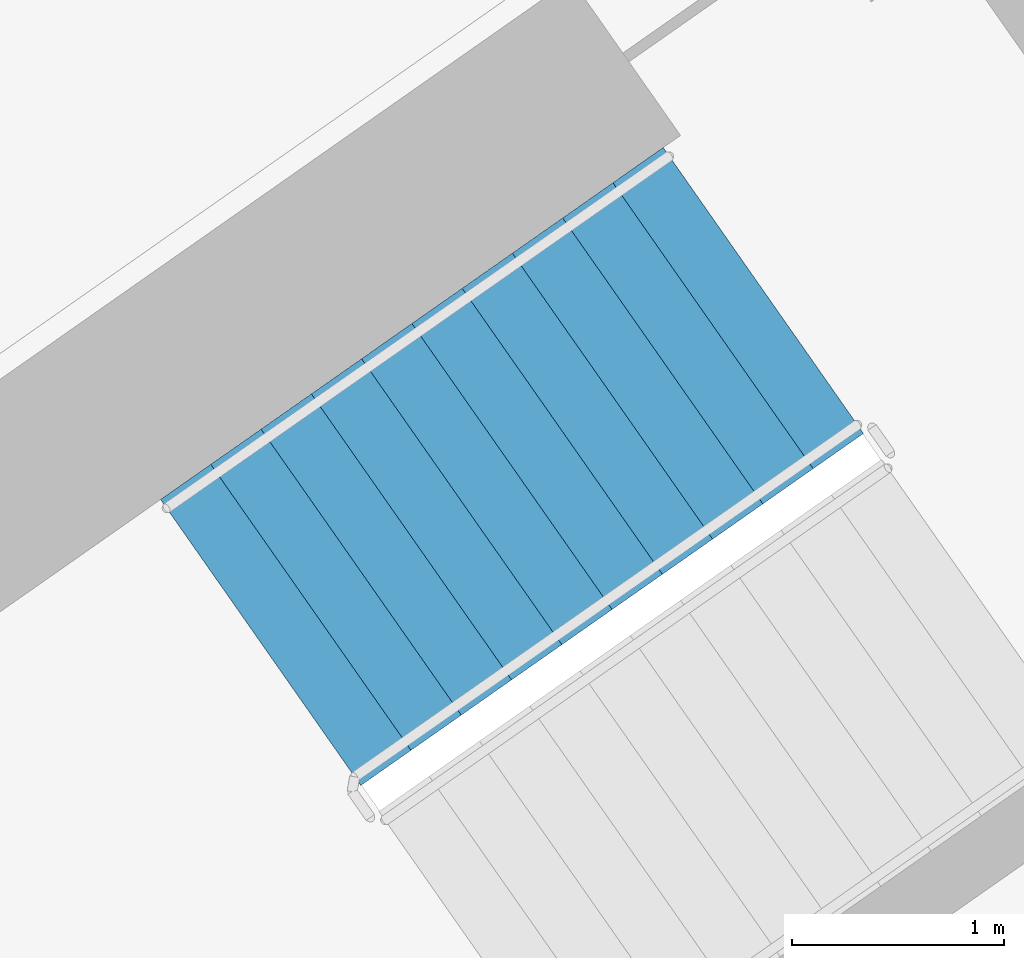
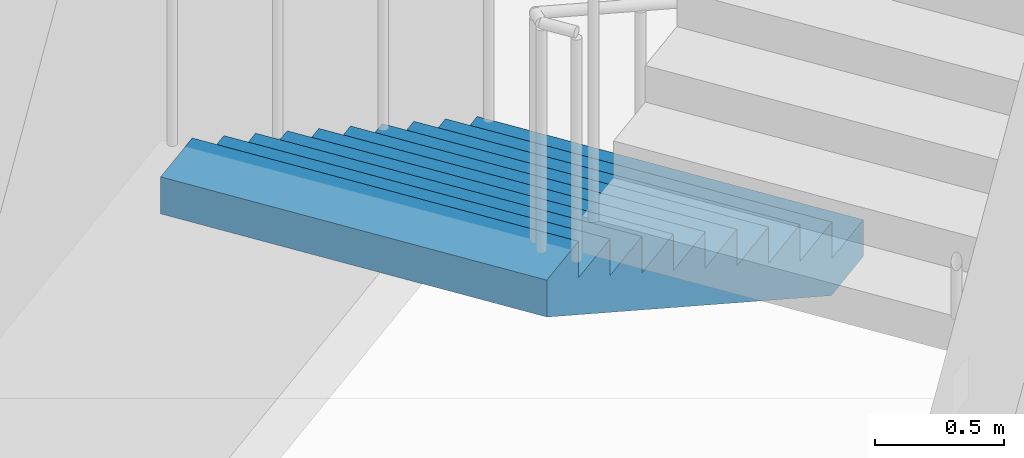
# One storey, part 16 of 32: 1 stair flight, 1 element without a shape of its own.
"""IFC4 building model written with IfcOpenShell, lengths in metres."""

from ifc_helpers import new_model, si_unit, direction, frame, origin, place, context, subcontext, project, spatial, faceted_brep, material, type_object, element, aggregate, save


model = new_model("IFC4")

# Units and contexts
model_context = context("Model", 3, precision=1e-05, world=origin(), true_north=direction((0.0, 1.0)))
body_context = subcontext(model_context, "Body", "Model", "MODEL_VIEW")
ifc_project = project(units=[si_unit("LENGTHUNIT", "METRE"), si_unit("AREAUNIT", "SQUARE_METRE"), si_unit("VOLUMEUNIT", "CUBIC_METRE"), si_unit("PLANEANGLEUNIT", "RADIAN"), si_unit("MASSUNIT", "GRAM", prefix="KILO")], contexts=[model_context])

# Site, building, storey
site_placement = place(None, origin())
site = spatial("IfcSite", under=ifc_project, at=site_placement, CompositionType="ELEMENT")
building_placement = place(site_placement, origin())
building = spatial("IfcBuilding", under=site, at=building_placement, Name="Qamariyya Broadcast Tower", CompositionType="ELEMENT")
storey_placement = place(building_placement, frame((0.0, 0.0, 70.89990234375)))
storey = spatial("IfcBuildingStorey", under=building, at=storey_placement, Name="L14", CompositionType="ELEMENT", Elevation=70.89990234375)

# Stair, stair flight
ifc_material = material(Name="Concrete C50/60", Category="concrete")
stair_type = type_object("IfcStairType", Name="Exit stair 22 risers of 173 mm", PredefinedType="HALF_TURN_STAIR", material=ifc_material)
stair_placement = place(storey_placement, origin())
stair = element("IfcStair", 1, at=stair_placement, inside=storey, type_object=stair_type, Name="L14 Stair E2", PredefinedType="HALF_TURN_STAIR")
stair_flight_type = type_object("IfcStairFlightType", Name="Exit stair flight 11 risers of 173 mm", PredefinedType="STRAIGHT", material=ifc_material)
stair_flight_placement = place(storey_placement, frame((40.558837890625, -47.685302734375, 0.0), z_axis=(0.0, 0.0, 1.0), x_axis=(-0.819152044289, -0.573576436351, 0.0)))
stair_flight = element("IfcStairFlight", 2, at=stair_flight_placement, type_object=stair_flight_type, Name="ST-E2 flight 1", NumberOfRisers=11, NumberOfTreads=10, PredefinedType="STRAIGHT", RiserHeight=0.172727273, TreadLength=0.29, context=body_context, shape_type="Brep", body=[
    faceted_brep([(0.0, 0.824951171875, 0.0), (0.0, 0.824951171875, 0.172607421875), (0.2900390625, 0.824951171875, 0.172607421875), (0.2900390625, 0.824951171875, 0.345458984375), (0.580078125, 0.824951171875, 0.345458984375), (0.580078125, 0.824951171875, 0.51806640625), (0.8701171875, 0.824951171875, 0.51806640625), (0.8701171875, 0.824951171875, 0.69091796875), (1.159912109375, 0.824951171875, 0.69091796875), (1.159912109375, 0.824951171875, 0.863525390625), (1.449951171875, 0.824951171875, 0.863525390625), (1.449951171875, 0.824951171875, 1.036376953125), (1.739990234375, 0.824951171875, 1.036376953125), (1.739990234375, 0.824951171875, 1.208984375), (2.030029296875, 0.824951171875, 1.208984375), (2.030029296875, 0.824951171875, 1.3818359375), (2.320068359375, 0.824951171875, 1.3818359375), (2.320068359375, 0.824951171875, 1.554443359375), (2.610107421875, 0.824951171875, 1.554443359375), (2.610107421875, 0.824951171875, 1.727294921875), (2.89990234375, 0.824951171875, 1.727294921875), (2.89990234375, 0.824951171875, 1.552734375), (0.29296875, 0.824951171875, 0.0), (0.29296875, -0.824951171875, 0.0), (2.89990234375, -0.824951171875, 1.552734375), (2.89990234375, -0.824951171875, 1.727294921875), (2.610107421875, -0.824951171875, 1.727294921875), (2.610107421875, -0.824951171875, 1.554443359375), (2.320068359375, -0.824951171875, 1.554443359375), (2.320068359375, -0.824951171875, 1.3818359375), (2.030029296875, -0.824951171875, 1.3818359375), (2.030029296875, -0.824951171875, 1.208984375), (1.739990234375, -0.824951171875, 1.208984375), (1.739990234375, -0.824951171875, 1.036376953125), (1.449951171875, -0.824951171875, 1.036376953125), (1.449951171875, -0.824951171875, 0.863525390625), (1.159912109375, -0.824951171875, 0.863525390625), (1.159912109375, -0.824951171875, 0.69091796875), (0.8701171875, -0.824951171875, 0.69091796875), (0.8701171875, -0.824951171875, 0.51806640625), (0.580078125, -0.824951171875, 0.51806640625), (0.580078125, -0.824951171875, 0.345458984375), (0.2900390625, -0.824951171875, 0.345458984375), (0.2900390625, -0.824951171875, 0.172607421875), (0.0, -0.824951171875, 0.172607421875), (0.0, -0.824951171875, 0.0), (0.0, 0.10009765625, 0.0), (0.0, 0.086669921875, 0.0), (0.0, 0.0732421875, 0.0), (0.0, 0.06005859375, 0.0), (0.0, 0.046630859375, 0.0), (0.0, 0.033447265625, 0.0), (0.0, 0.02001953125, 0.0), (0.0, 0.006591796875, 0.0), (0.0, -0.006591796875, 0.0), (0.0, -0.02001953125, 0.0), (0.0, -0.033447265625, 0.0), (0.0, -0.046630859375, 0.0), (0.0, -0.06005859375, 0.0), (0.0, -0.0732421875, 0.0), (0.0, -0.086669921875, 0.0), (0.0, -0.10009765625, 0.0), (0.0, -0.10009765625, 0.172607421875), (0.0, -0.086669921875, 0.172607421875), (0.0, -0.0732421875, 0.172607421875), (0.0, -0.06005859375, 0.172607421875), (0.0, -0.046630859375, 0.172607421875), (0.0, -0.033447265625, 0.172607421875), (0.0, -0.02001953125, 0.172607421875), (0.0, -0.006591796875, 0.172607421875), (0.0, 0.006591796875, 0.172607421875), (0.0, 0.02001953125, 0.172607421875), (0.0, 0.033447265625, 0.172607421875), (0.0, 0.046630859375, 0.172607421875), (0.0, 0.06005859375, 0.172607421875), (0.0, 0.0732421875, 0.172607421875), (0.0, 0.086669921875, 0.172607421875), (0.0, 0.10009765625, 0.172607421875), (0.2900390625, -0.10009765625, 0.172607421875), (0.2900390625, -0.086669921875, 0.172607421875), (0.2900390625, -0.0732421875, 0.172607421875), (0.2900390625, -0.06005859375, 0.172607421875), (0.2900390625, -0.046630859375, 0.172607421875), (0.2900390625, -0.033447265625, 0.172607421875), (0.2900390625, -0.02001953125, 0.172607421875), (0.2900390625, -0.006591796875, 0.172607421875), (0.2900390625, 0.006591796875, 0.172607421875), (0.2900390625, 0.02001953125, 0.172607421875), (0.2900390625, 0.033447265625, 0.172607421875), (0.2900390625, 0.046630859375, 0.172607421875), (0.2900390625, 0.06005859375, 0.172607421875), (0.2900390625, 0.0732421875, 0.172607421875), (0.2900390625, 0.086669921875, 0.172607421875), (0.2900390625, 0.10009765625, 0.172607421875), (0.2900390625, -0.10009765625, 0.345458984375), (0.2900390625, -0.086669921875, 0.345458984375), (0.2900390625, -0.0732421875, 0.345458984375), (0.2900390625, -0.06005859375, 0.345458984375), (0.2900390625, -0.046630859375, 0.345458984375), (0.2900390625, -0.033447265625, 0.345458984375), (0.2900390625, -0.02001953125, 0.345458984375), (0.2900390625, -0.006591796875, 0.345458984375), (0.2900390625, 0.006591796875, 0.345458984375), (0.2900390625, 0.02001953125, 0.345458984375), (0.2900390625, 0.033447265625, 0.345458984375), (0.2900390625, 0.046630859375, 0.345458984375), (0.2900390625, 0.06005859375, 0.345458984375), (0.2900390625, 0.0732421875, 0.345458984375), (0.2900390625, 0.086669921875, 0.345458984375), (0.2900390625, 0.10009765625, 0.345458984375), (0.580078125, -0.10009765625, 0.345458984375), (0.580078125, -0.086669921875, 0.345458984375), (0.580078125, -0.0732421875, 0.345458984375), (0.580078125, -0.06005859375, 0.345458984375), (0.580078125, -0.046630859375, 0.345458984375), (0.580078125, -0.033447265625, 0.345458984375), (0.580078125, -0.02001953125, 0.345458984375), (0.580078125, -0.006591796875, 0.345458984375), (0.580078125, 0.006591796875, 0.345458984375), (0.580078125, 0.02001953125, 0.345458984375), (0.580078125, 0.033447265625, 0.345458984375), (0.580078125, 0.046630859375, 0.345458984375), (0.580078125, 0.06005859375, 0.345458984375), (0.580078125, 0.0732421875, 0.345458984375), (0.580078125, 0.086669921875, 0.345458984375), (0.580078125, 0.10009765625, 0.345458984375), (0.580078125, -0.10009765625, 0.51806640625), (0.580078125, -0.086669921875, 0.51806640625), (0.580078125, -0.0732421875, 0.51806640625), (0.580078125, -0.06005859375, 0.51806640625), (0.580078125, -0.046630859375, 0.51806640625), (0.580078125, -0.033447265625, 0.51806640625), (0.580078125, -0.02001953125, 0.51806640625), (0.580078125, -0.006591796875, 0.51806640625), (0.580078125, 0.006591796875, 0.51806640625), (0.580078125, 0.02001953125, 0.51806640625), (0.580078125, 0.033447265625, 0.51806640625), (0.580078125, 0.046630859375, 0.51806640625), (0.580078125, 0.06005859375, 0.51806640625), (0.580078125, 0.0732421875, 0.51806640625), (0.580078125, 0.086669921875, 0.51806640625), (0.580078125, 0.10009765625, 0.51806640625), (0.8701171875, -0.10009765625, 0.51806640625), (0.8701171875, -0.086669921875, 0.51806640625), (0.8701171875, -0.0732421875, 0.51806640625), (0.8701171875, -0.06005859375, 0.51806640625), (0.8701171875, -0.046630859375, 0.51806640625), (0.8701171875, -0.033447265625, 0.51806640625), (0.8701171875, -0.02001953125, 0.51806640625), (0.8701171875, -0.006591796875, 0.51806640625), (0.8701171875, 0.006591796875, 0.51806640625), (0.8701171875, 0.02001953125, 0.51806640625), (0.8701171875, 0.033447265625, 0.51806640625), (0.8701171875, 0.046630859375, 0.51806640625), (0.8701171875, 0.06005859375, 0.51806640625), (0.8701171875, 0.0732421875, 0.51806640625), (0.8701171875, 0.086669921875, 0.51806640625), (0.8701171875, 0.10009765625, 0.51806640625), (0.8701171875, -0.10009765625, 0.69091796875), (0.8701171875, -0.086669921875, 0.69091796875), (0.8701171875, -0.0732421875, 0.69091796875), (0.8701171875, -0.06005859375, 0.69091796875), (0.8701171875, -0.046630859375, 0.69091796875), (0.8701171875, -0.033447265625, 0.69091796875), (0.8701171875, -0.02001953125, 0.69091796875), (0.8701171875, -0.006591796875, 0.69091796875), (0.8701171875, 0.006591796875, 0.69091796875), (0.8701171875, 0.02001953125, 0.69091796875), (0.8701171875, 0.033447265625, 0.69091796875), (0.8701171875, 0.046630859375, 0.69091796875), (0.8701171875, 0.06005859375, 0.69091796875), (0.8701171875, 0.0732421875, 0.69091796875), (0.8701171875, 0.086669921875, 0.69091796875), (0.8701171875, 0.10009765625, 0.69091796875), (1.159912109375, -0.10009765625, 0.69091796875), (1.159912109375, -0.086669921875, 0.69091796875), (1.159912109375, -0.0732421875, 0.69091796875), (1.159912109375, -0.06005859375, 0.69091796875), (1.159912109375, -0.046630859375, 0.69091796875), (1.159912109375, -0.033447265625, 0.69091796875), (1.159912109375, -0.02001953125, 0.69091796875), (1.159912109375, -0.006591796875, 0.69091796875), (1.159912109375, 0.006591796875, 0.69091796875), (1.159912109375, 0.02001953125, 0.69091796875), (1.159912109375, 0.033447265625, 0.69091796875), (1.159912109375, 0.046630859375, 0.69091796875), (1.159912109375, 0.06005859375, 0.69091796875), (1.159912109375, 0.0732421875, 0.69091796875), (1.159912109375, 0.086669921875, 0.69091796875), (1.159912109375, 0.10009765625, 0.69091796875), (1.159912109375, -0.10009765625, 0.863525390625), (1.159912109375, -0.086669921875, 0.863525390625), (1.159912109375, -0.0732421875, 0.863525390625), (1.159912109375, -0.06005859375, 0.863525390625), (1.159912109375, -0.046630859375, 0.863525390625), (1.159912109375, -0.033447265625, 0.863525390625), (1.159912109375, -0.02001953125, 0.863525390625), (1.159912109375, -0.006591796875, 0.863525390625), (1.159912109375, 0.006591796875, 0.863525390625), (1.159912109375, 0.02001953125, 0.863525390625), (1.159912109375, 0.033447265625, 0.863525390625), (1.159912109375, 0.046630859375, 0.863525390625), (1.159912109375, 0.06005859375, 0.863525390625), (1.159912109375, 0.0732421875, 0.863525390625), (1.159912109375, 0.086669921875, 0.863525390625), (1.159912109375, 0.10009765625, 0.863525390625), (1.449951171875, -0.10009765625, 0.863525390625), (1.449951171875, -0.086669921875, 0.863525390625), (1.449951171875, -0.0732421875, 0.863525390625), (1.449951171875, -0.06005859375, 0.863525390625), (1.449951171875, -0.046630859375, 0.863525390625), (1.449951171875, -0.033447265625, 0.863525390625), (1.449951171875, -0.02001953125, 0.863525390625), (1.449951171875, -0.006591796875, 0.863525390625), (1.449951171875, 0.006591796875, 0.863525390625), (1.449951171875, 0.02001953125, 0.863525390625), (1.449951171875, 0.033447265625, 0.863525390625), (1.449951171875, 0.046630859375, 0.863525390625), (1.449951171875, 0.06005859375, 0.863525390625), (1.449951171875, 0.0732421875, 0.863525390625), (1.449951171875, 0.086669921875, 0.863525390625), (1.449951171875, 0.10009765625, 0.863525390625), (1.449951171875, -0.10009765625, 1.036376953125), (1.449951171875, -0.086669921875, 1.036376953125), (1.449951171875, -0.0732421875, 1.036376953125), (1.449951171875, -0.06005859375, 1.036376953125), (1.449951171875, -0.046630859375, 1.036376953125), (1.449951171875, -0.033447265625, 1.036376953125), (1.449951171875, -0.02001953125, 1.036376953125), (1.449951171875, -0.006591796875, 1.036376953125), (1.449951171875, 0.006591796875, 1.036376953125), (1.449951171875, 0.02001953125, 1.036376953125), (1.449951171875, 0.033447265625, 1.036376953125), (1.449951171875, 0.046630859375, 1.036376953125), (1.449951171875, 0.06005859375, 1.036376953125), (1.449951171875, 0.0732421875, 1.036376953125), (1.449951171875, 0.086669921875, 1.036376953125), (1.449951171875, 0.10009765625, 1.036376953125), (1.739990234375, -0.10009765625, 1.036376953125), (1.739990234375, -0.086669921875, 1.036376953125), (1.739990234375, -0.0732421875, 1.036376953125), (1.739990234375, -0.06005859375, 1.036376953125), (1.739990234375, -0.046630859375, 1.036376953125), (1.739990234375, -0.033447265625, 1.036376953125), (1.739990234375, -0.02001953125, 1.036376953125), (1.739990234375, -0.006591796875, 1.036376953125), (1.739990234375, 0.006591796875, 1.036376953125), (1.739990234375, 0.02001953125, 1.036376953125), (1.739990234375, 0.033447265625, 1.036376953125), (1.739990234375, 0.046630859375, 1.036376953125), (1.739990234375, 0.06005859375, 1.036376953125), (1.739990234375, 0.0732421875, 1.036376953125), (1.739990234375, 0.086669921875, 1.036376953125), (1.739990234375, 0.10009765625, 1.036376953125), (1.739990234375, -0.10009765625, 1.208984375), (1.739990234375, -0.086669921875, 1.208984375), (1.739990234375, -0.0732421875, 1.208984375), (1.739990234375, -0.06005859375, 1.208984375), (1.739990234375, -0.046630859375, 1.208984375), (1.739990234375, -0.033447265625, 1.208984375), (1.739990234375, -0.02001953125, 1.208984375), (1.739990234375, -0.006591796875, 1.208984375), (1.739990234375, 0.006591796875, 1.208984375), (1.739990234375, 0.02001953125, 1.208984375), (1.739990234375, 0.033447265625, 1.208984375), (1.739990234375, 0.046630859375, 1.208984375), (1.739990234375, 0.06005859375, 1.208984375), (1.739990234375, 0.0732421875, 1.208984375), (1.739990234375, 0.086669921875, 1.208984375), (1.739990234375, 0.10009765625, 1.208984375), (2.030029296875, -0.10009765625, 1.208984375), (2.030029296875, -0.086669921875, 1.208984375), (2.030029296875, -0.0732421875, 1.208984375), (2.030029296875, -0.06005859375, 1.208984375), (2.030029296875, -0.046630859375, 1.208984375), (2.030029296875, -0.033447265625, 1.208984375), (2.030029296875, -0.02001953125, 1.208984375), (2.030029296875, -0.006591796875, 1.208984375), (2.030029296875, 0.006591796875, 1.208984375), (2.030029296875, 0.02001953125, 1.208984375), (2.030029296875, 0.033447265625, 1.208984375), (2.030029296875, 0.046630859375, 1.208984375), (2.030029296875, 0.06005859375, 1.208984375), (2.030029296875, 0.0732421875, 1.208984375), (2.030029296875, 0.086669921875, 1.208984375), (2.030029296875, 0.10009765625, 1.208984375), (2.030029296875, -0.10009765625, 1.3818359375), (2.030029296875, -0.086669921875, 1.3818359375), (2.030029296875, -0.0732421875, 1.3818359375), (2.030029296875, -0.06005859375, 1.3818359375), (2.030029296875, -0.046630859375, 1.3818359375), (2.030029296875, -0.033447265625, 1.3818359375), (2.030029296875, -0.02001953125, 1.3818359375), (2.030029296875, -0.006591796875, 1.3818359375), (2.030029296875, 0.006591796875, 1.3818359375), (2.030029296875, 0.02001953125, 1.3818359375), (2.030029296875, 0.033447265625, 1.3818359375), (2.030029296875, 0.046630859375, 1.3818359375), (2.030029296875, 0.06005859375, 1.3818359375), (2.030029296875, 0.0732421875, 1.3818359375), (2.030029296875, 0.086669921875, 1.3818359375), (2.030029296875, 0.10009765625, 1.3818359375), (2.320068359375, -0.10009765625, 1.3818359375), (2.320068359375, -0.086669921875, 1.3818359375), (2.320068359375, -0.0732421875, 1.3818359375), (2.320068359375, -0.06005859375, 1.3818359375), (2.320068359375, -0.046630859375, 1.3818359375), (2.320068359375, -0.033447265625, 1.3818359375), (2.320068359375, -0.02001953125, 1.3818359375), (2.320068359375, -0.006591796875, 1.3818359375), (2.320068359375, 0.006591796875, 1.3818359375), (2.320068359375, 0.02001953125, 1.3818359375), (2.320068359375, 0.033447265625, 1.3818359375), (2.320068359375, 0.046630859375, 1.3818359375), (2.320068359375, 0.06005859375, 1.3818359375), (2.320068359375, 0.0732421875, 1.3818359375), (2.320068359375, 0.086669921875, 1.3818359375), (2.320068359375, 0.10009765625, 1.3818359375), (2.320068359375, -0.10009765625, 1.554443359375), (2.320068359375, -0.086669921875, 1.554443359375), (2.320068359375, -0.0732421875, 1.554443359375), (2.320068359375, -0.06005859375, 1.554443359375), (2.320068359375, -0.046630859375, 1.554443359375), (2.320068359375, -0.033447265625, 1.554443359375), (2.320068359375, -0.02001953125, 1.554443359375), (2.320068359375, -0.006591796875, 1.554443359375), (2.320068359375, 0.006591796875, 1.554443359375), (2.320068359375, 0.02001953125, 1.554443359375), (2.320068359375, 0.033447265625, 1.554443359375), (2.320068359375, 0.046630859375, 1.554443359375), (2.320068359375, 0.06005859375, 1.554443359375), (2.320068359375, 0.0732421875, 1.554443359375), (2.320068359375, 0.086669921875, 1.554443359375), (2.320068359375, 0.10009765625, 1.554443359375), (2.610107421875, -0.10009765625, 1.554443359375), (2.610107421875, -0.086669921875, 1.554443359375), (2.610107421875, -0.0732421875, 1.554443359375), (2.610107421875, -0.06005859375, 1.554443359375), (2.610107421875, -0.046630859375, 1.554443359375), (2.610107421875, -0.033447265625, 1.554443359375), (2.610107421875, -0.02001953125, 1.554443359375), (2.610107421875, -0.006591796875, 1.554443359375), (2.610107421875, 0.006591796875, 1.554443359375), (2.610107421875, 0.02001953125, 1.554443359375), (2.610107421875, 0.033447265625, 1.554443359375), (2.610107421875, 0.046630859375, 1.554443359375), (2.610107421875, 0.06005859375, 1.554443359375), (2.610107421875, 0.0732421875, 1.554443359375), (2.610107421875, 0.086669921875, 1.554443359375), (2.610107421875, 0.10009765625, 1.554443359375), (2.610107421875, -0.10009765625, 1.727294921875), (2.610107421875, -0.086669921875, 1.727294921875), (2.610107421875, -0.0732421875, 1.727294921875), (2.610107421875, -0.06005859375, 1.727294921875), (2.610107421875, -0.046630859375, 1.727294921875), (2.610107421875, -0.033447265625, 1.727294921875), (2.610107421875, -0.02001953125, 1.727294921875), (2.610107421875, -0.006591796875, 1.727294921875), (2.610107421875, 0.006591796875, 1.727294921875), (2.610107421875, 0.02001953125, 1.727294921875), (2.610107421875, 0.033447265625, 1.727294921875), (2.610107421875, 0.046630859375, 1.727294921875), (2.610107421875, 0.06005859375, 1.727294921875), (2.610107421875, 0.0732421875, 1.727294921875), (2.610107421875, 0.086669921875, 1.727294921875), (2.610107421875, 0.10009765625, 1.727294921875), (2.89990234375, -0.10009765625, 1.727294921875), (2.89990234375, -0.086669921875, 1.727294921875), (2.89990234375, -0.0732421875, 1.727294921875), (2.89990234375, -0.06005859375, 1.727294921875), (2.89990234375, -0.046630859375, 1.727294921875), (2.89990234375, -0.033447265625, 1.727294921875), (2.89990234375, -0.02001953125, 1.727294921875), (2.89990234375, -0.006591796875, 1.727294921875), (2.89990234375, 0.006591796875, 1.727294921875), (2.89990234375, 0.02001953125, 1.727294921875), (2.89990234375, 0.033447265625, 1.727294921875), (2.89990234375, 0.046630859375, 1.727294921875), (2.89990234375, 0.06005859375, 1.727294921875), (2.89990234375, 0.0732421875, 1.727294921875), (2.89990234375, 0.086669921875, 1.727294921875), (2.89990234375, 0.10009765625, 1.727294921875), (2.89990234375, -0.10009765625, 1.552734375), (2.89990234375, -0.086669921875, 1.552734375), (2.89990234375, -0.0732421875, 1.552734375), (2.89990234375, -0.06005859375, 1.552734375), (2.89990234375, -0.046630859375, 1.552734375), (2.89990234375, -0.033447265625, 1.552734375), (2.89990234375, -0.02001953125, 1.552734375), (2.89990234375, -0.006591796875, 1.552734375), (2.89990234375, 0.006591796875, 1.552734375), (2.89990234375, 0.02001953125, 1.552734375), (2.89990234375, 0.033447265625, 1.552734375), (2.89990234375, 0.046630859375, 1.552734375), (2.89990234375, 0.06005859375, 1.552734375), (2.89990234375, 0.0732421875, 1.552734375), (2.89990234375, 0.086669921875, 1.552734375), (2.89990234375, 0.10009765625, 1.552734375), (0.29296875, -0.10009765625, 0.0), (0.29296875, -0.086669921875, 0.0), (0.29296875, -0.0732421875, 0.0), (0.29296875, -0.06005859375, 0.0), (0.29296875, -0.046630859375, 0.0), (0.29296875, -0.033447265625, 0.0), (0.29296875, -0.02001953125, 0.0), (0.29296875, -0.006591796875, 0.0), (0.29296875, 0.006591796875, 0.0), (0.29296875, 0.02001953125, 0.0), (0.29296875, 0.033447265625, 0.0), (0.29296875, 0.046630859375, 0.0), (0.29296875, 0.06005859375, 0.0), (0.29296875, 0.0732421875, 0.0), (0.29296875, 0.086669921875, 0.0), (0.29296875, 0.10009765625, 0.0)], [[[0, 1, 2, 3, 4, 5, 6, 7, 8, 9, 10, 11, 12, 13, 14, 15, 16, 17, 18, 19, 20, 21, 22]], [[23, 24, 25, 26, 27, 28, 29, 30, 31, 32, 33, 34, 35, 36, 37, 38, 39, 40, 41, 42, 43, 44, 45]], [[0, 46, 47, 48, 49, 50, 51, 52, 53, 54, 55, 56, 57, 58, 59, 60, 61, 45, 44, 62, 63, 64, 65, 66, 67, 68, 69, 70, 71, 72, 73, 74, 75, 76, 77, 1]], [[1, 77, 76, 75, 74, 73, 72, 71, 70, 69, 68, 67, 66, 65, 64, 63, 62, 44, 43, 78, 79, 80, 81, 82, 83, 84, 85, 86, 87, 88, 89, 90, 91, 92, 93, 2]], [[2, 93, 92, 91, 90, 89, 88, 87, 86, 85, 84, 83, 82, 81, 80, 79, 78, 43, 42, 94, 95, 96, 97, 98, 99, 100, 101, 102, 103, 104, 105, 106, 107, 108, 109, 3]], [[3, 109, 108, 107, 106, 105, 104, 103, 102, 101, 100, 99, 98, 97, 96, 95, 94, 42, 41, 110, 111, 112, 113, 114, 115, 116, 117, 118, 119, 120, 121, 122, 123, 124, 125, 4]], [[4, 125, 124, 123, 122, 121, 120, 119, 118, 117, 116, 115, 114, 113, 112, 111, 110, 41, 40, 126, 127, 128, 129, 130, 131, 132, 133, 134, 135, 136, 137, 138, 139, 140, 141, 5]], [[5, 141, 140, 139, 138, 137, 136, 135, 134, 133, 132, 131, 130, 129, 128, 127, 126, 40, 39, 142, 143, 144, 145, 146, 147, 148, 149, 150, 151, 152, 153, 154, 155, 156, 157, 6]], [[6, 157, 156, 155, 154, 153, 152, 151, 150, 149, 148, 147, 146, 145, 144, 143, 142, 39, 38, 158, 159, 160, 161, 162, 163, 164, 165, 166, 167, 168, 169, 170, 171, 172, 173, 7]], [[7, 173, 172, 171, 170, 169, 168, 167, 166, 165, 164, 163, 162, 161, 160, 159, 158, 38, 37, 174, 175, 176, 177, 178, 179, 180, 181, 182, 183, 184, 185, 186, 187, 188, 189, 8]], [[8, 189, 188, 187, 186, 185, 184, 183, 182, 181, 180, 179, 178, 177, 176, 175, 174, 37, 36, 190, 191, 192, 193, 194, 195, 196, 197, 198, 199, 200, 201, 202, 203, 204, 205, 9]], [[9, 205, 204, 203, 202, 201, 200, 199, 198, 197, 196, 195, 194, 193, 192, 191, 190, 36, 35, 206, 207, 208, 209, 210, 211, 212, 213, 214, 215, 216, 217, 218, 219, 220, 221, 10]], [[10, 221, 220, 219, 218, 217, 216, 215, 214, 213, 212, 211, 210, 209, 208, 207, 206, 35, 34, 222, 223, 224, 225, 226, 227, 228, 229, 230, 231, 232, 233, 234, 235, 236, 237, 11]], [[11, 237, 236, 235, 234, 233, 232, 231, 230, 229, 228, 227, 226, 225, 224, 223, 222, 34, 33, 238, 239, 240, 241, 242, 243, 244, 245, 246, 247, 248, 249, 250, 251, 252, 253, 12]], [[12, 253, 252, 251, 250, 249, 248, 247, 246, 245, 244, 243, 242, 241, 240, 239, 238, 33, 32, 254, 255, 256, 257, 258, 259, 260, 261, 262, 263, 264, 265, 266, 267, 268, 269, 13]], [[13, 269, 268, 267, 266, 265, 264, 263, 262, 261, 260, 259, 258, 257, 256, 255, 254, 32, 31, 270, 271, 272, 273, 274, 275, 276, 277, 278, 279, 280, 281, 282, 283, 284, 285, 14]], [[14, 285, 284, 283, 282, 281, 280, 279, 278, 277, 276, 275, 274, 273, 272, 271, 270, 31, 30, 286, 287, 288, 289, 290, 291, 292, 293, 294, 295, 296, 297, 298, 299, 300, 301, 15]], [[15, 301, 300, 299, 298, 297, 296, 295, 294, 293, 292, 291, 290, 289, 288, 287, 286, 30, 29, 302, 303, 304, 305, 306, 307, 308, 309, 310, 311, 312, 313, 314, 315, 316, 317, 16]], [[16, 317, 316, 315, 314, 313, 312, 311, 310, 309, 308, 307, 306, 305, 304, 303, 302, 29, 28, 318, 319, 320, 321, 322, 323, 324, 325, 326, 327, 328, 329, 330, 331, 332, 333, 17]], [[17, 333, 332, 331, 330, 329, 328, 327, 326, 325, 324, 323, 322, 321, 320, 319, 318, 28, 27, 334, 335, 336, 337, 338, 339, 340, 341, 342, 343, 344, 345, 346, 347, 348, 349, 18]], [[18, 349, 348, 347, 346, 345, 344, 343, 342, 341, 340, 339, 338, 337, 336, 335, 334, 27, 26, 350, 351, 352, 353, 354, 355, 356, 357, 358, 359, 360, 361, 362, 363, 364, 365, 19]], [[19, 365, 364, 363, 362, 361, 360, 359, 358, 357, 356, 355, 354, 353, 352, 351, 350, 26, 25, 366, 367, 368, 369, 370, 371, 372, 373, 374, 375, 376, 377, 378, 379, 380, 381, 20]], [[20, 381, 380, 379, 378, 377, 376, 375, 374, 373, 372, 371, 370, 369, 368, 367, 366, 25, 24, 382, 383, 384, 385, 386, 387, 388, 389, 390, 391, 392, 393, 394, 395, 396, 397, 21]], [[21, 397, 396, 395, 394, 393, 392, 391, 390, 389, 388, 387, 386, 385, 384, 383, 382, 24, 23, 398, 399, 400, 401, 402, 403, 404, 405, 406, 407, 408, 409, 410, 411, 412, 413, 22]], [[22, 413, 412, 411, 410, 409, 408, 407, 406, 405, 404, 403, 402, 401, 400, 399, 398, 23, 45, 61, 60, 59, 58, 57, 56, 55, 54, 53, 52, 51, 50, 49, 48, 47, 46, 0]]]),
])
aggregate(stair, [stair_flight])

save(model, "model.ifc")
